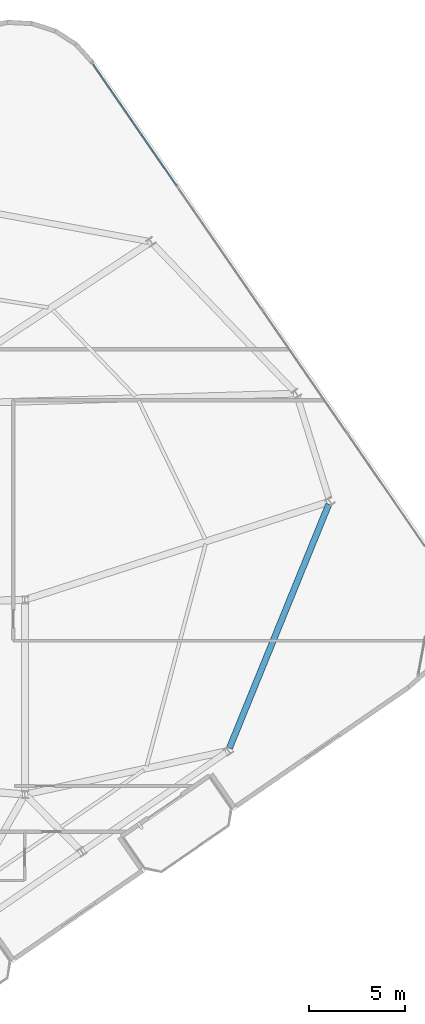
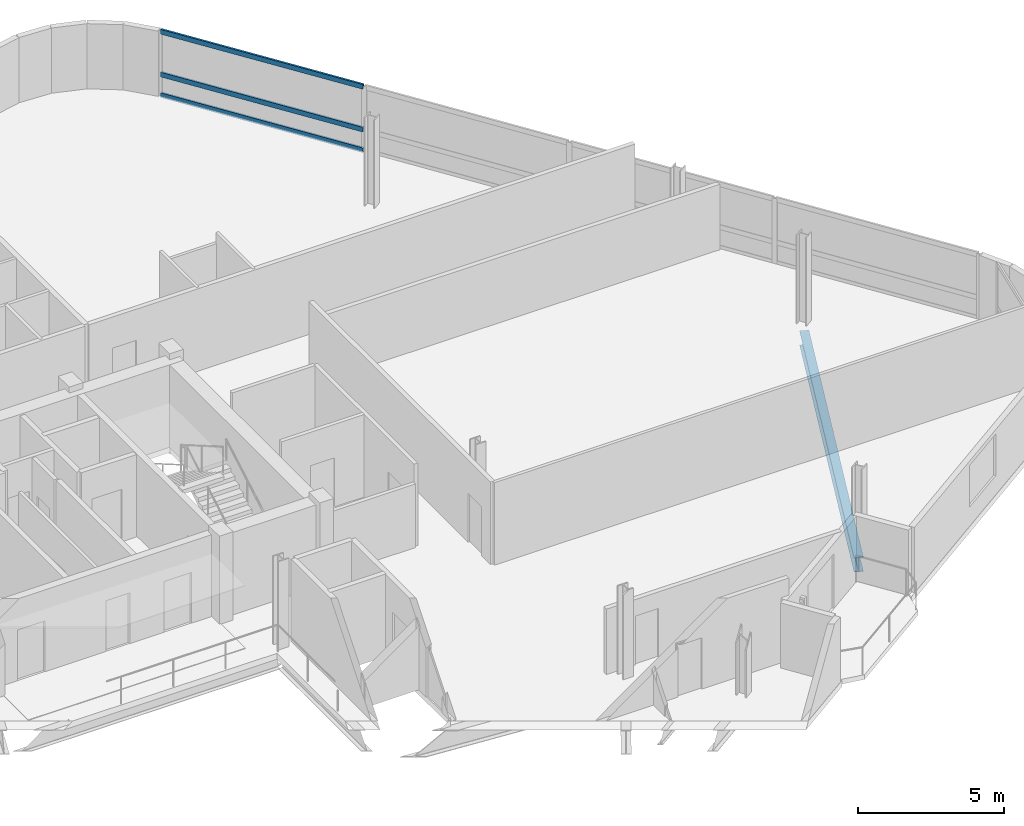
# One storey, part 11 of 23: 3 members, 1 beam, 1 element without a shape of its own.
"""IFC4 building model written with IfcOpenShell, lengths in metres."""

from ifc_helpers import new_model, si_unit, direction, frame, origin, origin_2d, place, context, subcontext, project, spatial, hollow_rectangle, i_section, extrude, material, layer, layer_set, material_profile, profile_set, type_object, element, aggregate, save


model = new_model("IFC4")

# Units and contexts
model_context = context("Model", 3, precision=1e-05, world=origin(), true_north=direction((0.0, 1.0)))
body_context = subcontext(model_context, "Body", "Model", "MODEL_VIEW")
ifc_project = project(units=[si_unit("LENGTHUNIT", "METRE"), si_unit("AREAUNIT", "SQUARE_METRE"), si_unit("VOLUMEUNIT", "CUBIC_METRE"), si_unit("PLANEANGLEUNIT", "RADIAN"), si_unit("MASSUNIT", "GRAM", prefix="KILO")], contexts=[model_context])

# Site, building, storey
site_placement = place(None, origin())
site = spatial("IfcSite", under=ifc_project, at=site_placement, CompositionType="ELEMENT")
building_placement = place(site_placement, origin())
building = spatial("IfcBuilding", under=site, at=building_placement, Name="Varnelok Gate Tower", CompositionType="ELEMENT")
storey_placement = place(building_placement, frame((0.0, 0.0, 273.0)))
storey = spatial("IfcBuildingStorey", under=building, at=storey_placement, Name="L70", CompositionType="ELEMENT", Elevation=273.0)

# Beam
ifc_material_1 = material(Name="Structural Steel ASTM A992 Grade 50", Category="steel")
ifc_material_profile_1 = material_profile(ifc_material_1, i_section(OverallWidth=0.323974609375, OverallDepth=0.611083984375, WebThickness=0.0126953125, FlangeThickness=0.01904296875, FilletRadius=0.01806640625, at=origin_2d()), Name="W24X104")
ifc_profile_set_1 = profile_set([ifc_material_profile_1], Name="Structural Steel ASTM A992 Grade 50")
beam_type = type_object("IfcBeamType", Name="BM-SPN-W24X104", PredefinedType="SPANDREL", material=ifc_profile_set_1)
beam_placement = place(storey_placement, frame((64.634765625, 21.20849609375, -0.555419921875), z_axis=(0.377167779659, 0.926144948692, 0.0), x_axis=(-0.926144948692, 0.377167779659, 0.0)))
element("IfcBeam", 1, at=beam_placement, inside=storey, type_object=beam_type, Name="L70 Perimeter Spandrel Beam 5", PredefinedType="SPANDREL", context=body_context, shape_type="SweptSolid", body=[
    extrude(i_section(OverallWidth=0.323974609375, OverallDepth=0.611083984375, WebThickness=0.0126953125, FlangeThickness=0.01904296875, FilletRadius=0.01806640625, at=origin_2d()), origin(), (0.0, 0.0, 1.0), 13.695556640625),
])

# Curtain wall, members
ifc_material_2 = material(Name="Anodized Aluminum Alloy 6063-T6", Category="aluminium")
ifc_layer = layer(ifc_material_2, 0.179931640625)
ifc_layer_set = layer_set([ifc_layer], Name="Anodized Aluminum Alloy 6063-T6")
curtain_wall_type = type_object("IfcCurtainWallType", Name="CW4-RESIDENCE-VISION", PredefinedType="USERDEFINED", material=ifc_layer_set)
curtain_wall_placement = place(storey_placement, origin())
curtain_wall = element("IfcCurtainWall", 2, at=curtain_wall_placement, inside=storey, type_object=curtain_wall_type, Name="L70 East End Vision Curtain Wall", ObjectType="UNITISED CURTAIN WALL", PredefinedType="USERDEFINED")
ifc_material_profile_2 = material_profile(ifc_material_2, hollow_rectangle(XDim=0.074951171875, YDim=0.199951171875, WallThickness=0.00390625, at=origin_2d()), Name="ALU200X75X4")
ifc_profile_set_2 = profile_set([ifc_material_profile_2], Name="Anodized Aluminum Alloy 6063-T6")
member_type = type_object("IfcMemberType", Name="CW-TRAN-200", PredefinedType="USERDEFINED", material=ifc_profile_set_2)
member_1_placement = place(storey_placement, frame((57.536865234375, 56.782470703125, 0.03759765625), z_axis=(0.567271254331, -0.823531009744, 0.0), x_axis=(0.823531009744, 0.567271254331, 0.0)))
member_1 = element("IfcMember", 3, at=member_1_placement, type_object=member_type, Name="CW4 transom 1.1", ObjectType="TRANSOM", PredefinedType="USERDEFINED", context=body_context, shape_type="SweptSolid", body=[
    extrude(hollow_rectangle(XDim=0.074951171875, YDim=0.199951171875, WallThickness=0.00390625, at=origin_2d()), origin(), (0.0, 0.0, 1.0), 7.6875),
])
member_2_placement = place(storey_placement, frame((57.536865234375, 56.782470703125, 0.89990234375), z_axis=(0.567271254331, -0.823531009744, 0.0), x_axis=(0.823531009744, 0.567271254331, 0.0)))
member_2 = element("IfcMember", 4, at=member_2_placement, type_object=member_type, Name="CW4 transom 1.2", ObjectType="TRANSOM", PredefinedType="USERDEFINED", context=body_context, shape_type="SweptSolid", body=[
    extrude(hollow_rectangle(XDim=0.074951171875, YDim=0.199951171875, WallThickness=0.00390625, at=origin_2d()), origin(), (0.0, 0.0, 1.0), 7.6875),
])
member_3_placement = place(storey_placement, frame((57.536865234375, 56.782470703125, 2.6923828125), z_axis=(0.567271254331, -0.823531009744, 0.0), x_axis=(0.823531009744, 0.567271254331, 0.0)))
member_3 = element("IfcMember", 5, at=member_3_placement, type_object=member_type, Name="CW4 transom 1.3", ObjectType="TRANSOM", PredefinedType="USERDEFINED", context=body_context, shape_type="SweptSolid", body=[
    extrude(hollow_rectangle(XDim=0.074951171875, YDim=0.199951171875, WallThickness=0.00390625, at=origin_2d()), origin(), (0.0, 0.0, 1.0), 7.6875),
])
aggregate(curtain_wall, [member_1, member_2, member_3])

save(model, "model.ifc")
